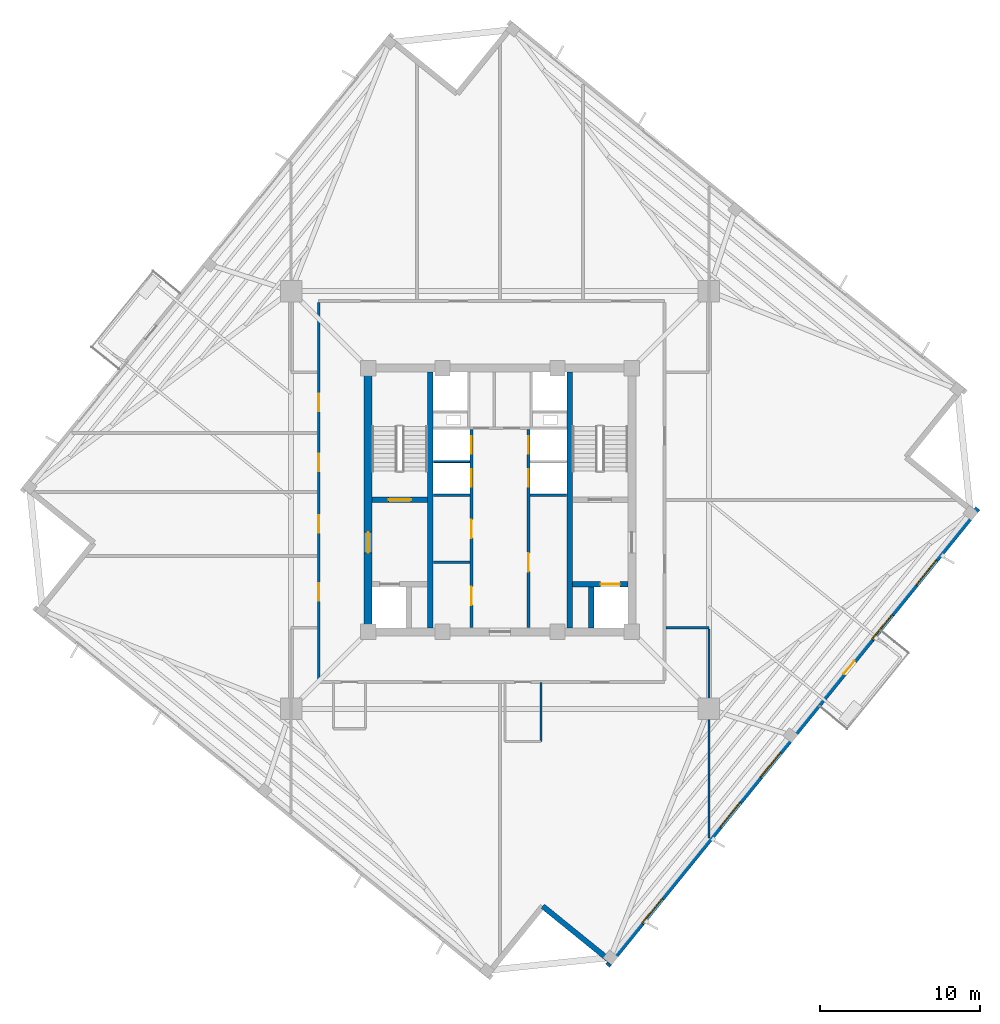
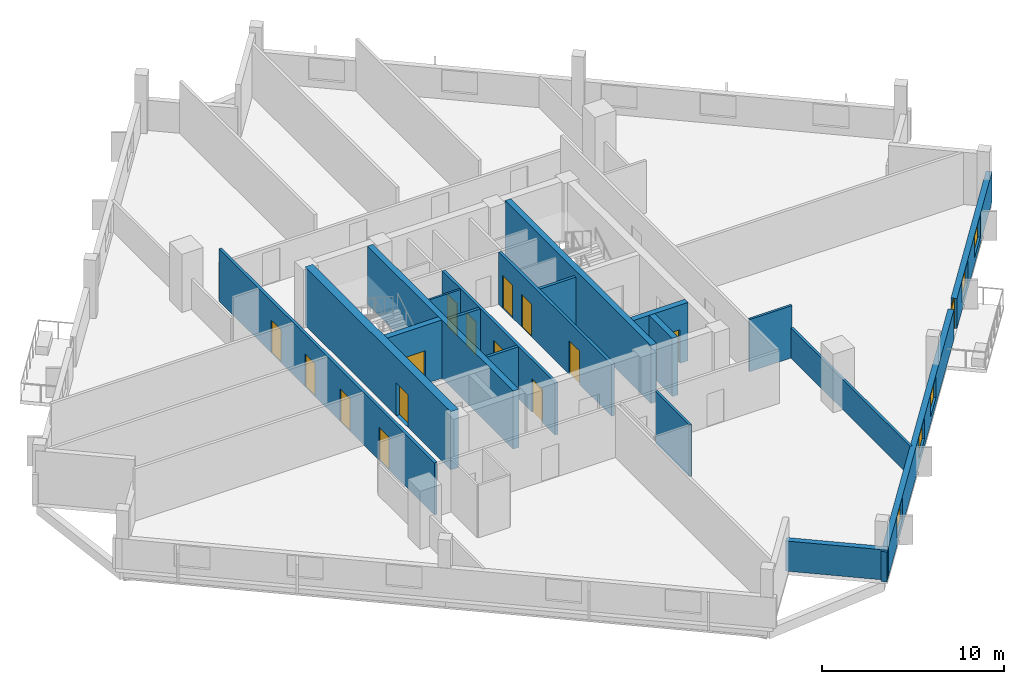
# One storey, part 3 of 9: 18 walls, 15 doors, 5 windows, 20 openings.
"""IFC4 building model written with IfcOpenShell, lengths in metres."""

import ifcopenshell
import ifcopenshell.guid

model = None  # the IFC model being written
_history = None  # IfcOwnerHistory: only IFC2X3 demands one
_inside = {}  # id of a spatial element -> (the spatial element, [elements in it])
_under = {}  # id of a project, library or spatial element -> (it, [spatial elements below it])
_declared = {}  # id of a project -> (the project, [libraries it declares])
_typed = {}  # id of a type object -> (the type object, [elements of that type])
_made_of = {}  # id of a material, layer set ... -> (it, [elements and type objects made of it])


def new_model(schema):
    """Start an empty IFC model of exactly this schema.

    Asked for "IFC4X3", IfcOpenShell would pick the latest addendum, in which some entities
    have other attributes; the version numbers below select the first issue.
    IFC2X3 requires an IfcOwnerHistory on every rooted entity: one is made here for all.
    """
    global model, _history
    if schema == "IFC4X3":
        model = ifcopenshell.file(schema_version=(4, 3, 0, 0))
    else:
        model = ifcopenshell.file(schema=schema)
    _inside.clear()
    _under.clear()
    _declared.clear()
    _typed.clear()
    _made_of.clear()
    _history = None
    if model.schema == "IFC2X3":
        org = make("IfcOrganization", Name="unknown")
        user = make(
            "IfcPersonAndOrganization",
            ThePerson=make("IfcPerson", FamilyName="unknown"),
            TheOrganization=org,
        )
        app = make(
            "IfcApplication",
            ApplicationDeveloper=org,
            Version="unknown",
            ApplicationFullName="unknown",
            ApplicationIdentifier="unknown",
        )
        _history = make(
            "IfcOwnerHistory",
            OwningUser=user,
            OwningApplication=app,
            ChangeAction="ADDED",
            CreationDate=0,
        )
    return model


def make(cls, **values):
    """One entity of the class cls with the attributes given. An attribute that is None is left unset."""
    return model.create_entity(
        cls, **{name: value for name, value in values.items() if value is not None}
    )


def rooted(cls, **values):
    """An entity with a GlobalId (a new one), such as an element, a storey or a relation."""
    return make(cls, GlobalId=ifcopenshell.guid.new(), OwnerHistory=_history, **values)


def si_unit(unit_type, name, prefix=None):
    """IfcSIUnit, for example si_unit("LENGTHUNIT", "METRE", prefix="MILLI")."""
    return make("IfcSIUnit", UnitType=unit_type, Prefix=prefix, Name=name)


def assignment(units):
    """IfcUnitAssignment: the units of a project."""
    return None if units is None else make("IfcUnitAssignment", Units=units)


def point(xyz):
    """IfcCartesianPoint."""
    return None if xyz is None else make("IfcCartesianPoint", Coordinates=xyz)


def direction(xyz):
    """IfcDirection."""
    return None if xyz is None else make("IfcDirection", DirectionRatios=xyz)


def frame(location, z_axis=None, x_axis=None):
    """IfcAxis2Placement3D, a coordinate frame: its origin and axes. An axis left out is left unset."""
    return make(
        "IfcAxis2Placement3D",
        Location=point(location),
        Axis=direction(z_axis),
        RefDirection=direction(x_axis),
    )


def frame_2d(location, x_axis=None):
    """IfcAxis2Placement2D, a coordinate frame in the plane: its origin and x axis."""
    return make(
        "IfcAxis2Placement2D", Location=point(location), RefDirection=direction(x_axis)
    )


def origin():
    """The frame at (0, 0, 0) with its axes left unset."""
    return frame((0.0, 0.0, 0.0))


def place(relative_to, where):
    """IfcLocalPlacement: puts the frame where relative to a parent placement (None: the world)."""
    return make(
        "IfcLocalPlacement", PlacementRelTo=relative_to, RelativePlacement=where
    )


def context(
    kind, dimensions, precision=None, world=None, true_north=None, identifier=None
):
    """IfcGeometricRepresentationContext, for example the 3D "Model" context."""
    return make(
        "IfcGeometricRepresentationContext",
        ContextIdentifier=identifier,
        ContextType=kind,
        CoordinateSpaceDimension=dimensions,
        Precision=precision,
        WorldCoordinateSystem=world,
        TrueNorth=true_north,
    )


def subcontext(parent, identifier, kind, view, scale=None):
    """IfcGeometricRepresentationSubContext, for example "Body" below "Model"."""
    return make(
        "IfcGeometricRepresentationSubContext",
        ContextIdentifier=identifier,
        ContextType=kind,
        ParentContext=parent,
        TargetScale=scale,
        TargetView=view,
    )


def project(units=None, contexts=None):
    """IfcProject with its units and contexts."""
    return rooted(
        "IfcProject",
        Name="project",
        RepresentationContexts=contexts,
        UnitsInContext=assignment(units),
    )


def spatial(cls, under=None, at=None, **own):
    """A site, building, storey or space (cls), placed at a placement, below another one or the project."""
    s = rooted(cls, ObjectPlacement=at, **own)
    if under is not None:
        _under.setdefault(under.id(), (under, []))[1].append(s)
    return s


def profile(cls, at=None, kind="AREA", **sizes):
    """A parametric profile (cls). Its sizes go by their IFC names, for example OverallWidth=200.0."""
    return make(cls, ProfileType=kind, Position=at, **sizes)


def rectangle(**sizes):
    """IfcRectangleProfileDef."""
    return profile("IfcRectangleProfileDef", **sizes)


def extrude(swept, where, along, depth):
    """IfcExtrudedAreaSolid: the profile swept, set in the frame where, extruded along a direction by depth."""
    return make(
        "IfcExtrudedAreaSolid",
        SweptArea=swept,
        Position=where,
        ExtrudedDirection=direction(along),
        Depth=depth,
    )


def shape(context_of_items, identifier, shape_type, items):
    """IfcShapeRepresentation: the items that make up one representation, for example the "Body"."""
    return make(
        "IfcShapeRepresentation",
        ContextOfItems=context_of_items,
        RepresentationIdentifier=identifier,
        RepresentationType=shape_type,
        Items=items,
    )


def source(mapping_origin, context_of_items, identifier, shape_type, items):
    """IfcRepresentationMap: a shape defined once, which mapped items show again and again."""
    return make(
        "IfcRepresentationMap",
        MappingOrigin=mapping_origin,
        MappedRepresentation=shape(context_of_items, identifier, shape_type, items),
    )


def transform(
    local_origin,
    x_axis=None,
    y_axis=None,
    z_axis=None,
    scale=None,
    scale2=None,
    scale3=None,
    uniform=True,
):
    """IfcCartesianTransformationOperator3D, or its non-uniform kind. x_axis, y_axis, z_axis: its Axis1, 2, 3."""
    if uniform:
        return make(
            "IfcCartesianTransformationOperator3D",
            Axis1=direction(x_axis),
            Axis2=direction(y_axis),
            LocalOrigin=point(local_origin),
            Scale=scale,
            Axis3=direction(z_axis),
        )
    return make(
        "IfcCartesianTransformationOperator3DnonUniform",
        Axis1=direction(x_axis),
        Axis2=direction(y_axis),
        LocalOrigin=point(local_origin),
        Scale=scale,
        Axis3=direction(z_axis),
        Scale2=scale2,
        Scale3=scale3,
    )


def mapped(mapping_source, mapping_target):
    """IfcMappedItem: shows the shape of a source again, moved by a transform."""
    return make(
        "IfcMappedItem", MappingSource=mapping_source, MappingTarget=mapping_target
    )


def material(Name=None, Category=None):
    """IfcMaterial."""
    return make("IfcMaterial", Name=Name, Category=Category)


def layer(
    of_material, thickness, ventilated=None, Name=None, Category=None, Priority=None
):
    """IfcMaterialLayer: one layer of a wall or slab, of a material (None: an air gap)."""
    return make(
        "IfcMaterialLayer",
        Material=of_material,
        LayerThickness=thickness,
        IsVentilated=ventilated,
        Name=Name,
        Category=Category,
        Priority=Priority,
    )


def layer_set(layers, Name=None):
    """IfcMaterialLayerSet."""
    return make("IfcMaterialLayerSet", MaterialLayers=layers, LayerSetName=Name)


def made_of(thing, what):
    """Note that an element or type object is made of a material, layer set ...; save() writes the relation."""
    if what is not None:
        _made_of.setdefault(what.id(), (what, []))[1].append(thing)
    return thing


def type_object(cls, material=None, **own):
    """A type object (cls), such as IfcWallType, which elements share."""
    return made_of(rooted(cls, **own), material)


def element(
    cls,
    number,
    at=None,
    inside=None,
    cuts=None,
    type_object=None,
    material=None,
    context=None,
    identifier="Body",
    shape_type=None,
    held_by="IfcProductDefinitionShape",
    body=None,
    shapes=None,
    **own,
):
    """One element of the class cls, such as IfcWall. Its Tag is "e" and its number.

    at: its placement. inside: the storey or other place that contains it. cuts: it is an
    opening in that element (IfcRelVoidsElement). A single representation is given by context,
    identifier, shape_type and body (its items); several are given by shapes. held_by: the class
    of the entity that holds the representations. save() writes the other relations.
    """
    e = rooted(cls, Tag="e%d" % number, ObjectPlacement=at, **own)
    if body is not None:
        shapes = [shape(context, identifier, shape_type, body)]
    if shapes is not None:
        e.Representation = make(held_by, Representations=shapes)
    if inside is not None:
        _inside.setdefault(inside.id(), (inside, []))[1].append(e)
    if cuts is not None:
        rooted(
            "IfcRelVoidsElement", RelatingBuildingElement=cuts, RelatedOpeningElement=e
        )
    if type_object is not None:
        _typed.setdefault(type_object.id(), (type_object, []))[1].append(e)
    return made_of(e, material)


def fill(opening, filler):
    """IfcRelFillsElement: the door or window that sits in an opening."""
    return rooted(
        "IfcRelFillsElement",
        RelatingOpeningElement=opening,
        RelatedBuildingElement=filler,
    )


def aggregate(whole, parts):
    """IfcRelAggregates: a whole, such as a stair, and the parts it consists of."""
    return rooted("IfcRelAggregates", RelatingObject=whole, RelatedObjects=parts)


def save(model, path):
    """Write the relations noted so far, then the file.

    IfcRelAggregates (storeys below a building ...), IfcRelContainedInSpatialStructure (elements
    in a storey), IfcRelDefinesByType, IfcRelAssociatesMaterial and IfcRelDeclares: one each for
    every whole, place, type object, material and project.
    """
    for whole, parts in _under.values():
        aggregate(whole, parts)
    for where, things in _inside.values():
        rooted(
            "IfcRelContainedInSpatialStructure",
            RelatedElements=things,
            RelatingStructure=where,
        )
    for kind, things in _typed.values():
        rooted("IfcRelDefinesByType", RelatedObjects=things, RelatingType=kind)
    for what, things in _made_of.values():
        rooted("IfcRelAssociatesMaterial", RelatedObjects=things, RelatingMaterial=what)
    for by, libraries in _declared.values():
        rooted("IfcRelDeclares", RelatingContext=by, RelatedDefinitions=libraries)
    model.write(path)


model = new_model("IFC4")

# Units and contexts
model_context = context("Model", 3, precision=1e-05, world=origin(), true_north=direction((0.0, 1.0)))
body_context = subcontext(model_context, "Body", "Model", "MODEL_VIEW")
ifc_project = project(units=[si_unit("LENGTHUNIT", "METRE"), si_unit("AREAUNIT", "SQUARE_METRE"), si_unit("VOLUMEUNIT", "CUBIC_METRE"), si_unit("PLANEANGLEUNIT", "RADIAN"), si_unit("MASSUNIT", "GRAM", prefix="KILO"), si_unit("THERMODYNAMICTEMPERATUREUNIT", "KELVIN")], contexts=[model_context])

# Site, building, storey
site_placement = place(None, origin())
site = spatial("IfcSite", under=ifc_project, at=site_placement, CompositionType="ELEMENT")
building_placement = place(site_placement, origin())
building = spatial("IfcBuilding", under=site, at=building_placement, Name="Kosmvard Interchange Tower", CompositionType="ELEMENT")
storey_placement = place(building_placement, frame((0.0, 0.0, 256.300048828125)))
storey = spatial("IfcBuildingStorey", under=building, at=storey_placement, Name="L62", CompositionType="ELEMENT", Elevation=256.300048828125)

# Walls
ifc_material_1 = material(Name="Acoustic gypsum partition system")
ifc_layer_1 = layer(ifc_material_1, 0.14990234375, Name="Acoustic gypsum partition system")
ifc_layer_set_1 = layer_set([ifc_layer_1], Name="Acoustic gypsum partition system")
wall_type_1 = type_object("IfcWallType", Name="Acoustic Suite & Meeting Partition 150", PredefinedType="PARTITIONING", material=ifc_layer_set_1)
wall_1_placement = place(storey_placement, frame((10.39501953125, -8.0, 0.0), z_axis=(0.0, 0.0, 1.0), x_axis=(1.0, 0.0, 0.0)))
element("IfcWall", 1, at=wall_1_placement, inside=storey, type_object=wall_type_1, Name="L62 Room Partition 11.1", PredefinedType="PARTITIONING", context=body_context, shape_type="SweptSolid", body=[
    extrude(rectangle(XDim=2.68603515625, YDim=0.14990234375, at=frame_2d((1.343017578125, 0.0))), origin(), (0.0, 0.0, 1.0), 3.5),
])
wall_2_placement = place(storey_placement, frame((13.0810546875, -8.074951171875, 0.0), z_axis=(0.0, 0.0, 1.0), x_axis=(0.0, -1.0, 0.0)))
element("IfcWall", 2, at=wall_2_placement, inside=storey, type_object=wall_type_1, Name="L62 Room Partition 12.1", PredefinedType="PARTITIONING", context=body_context, shape_type="SweptSolid", body=[
    extrude(rectangle(XDim=13.073486328125, YDim=0.14990234375, at=frame_2d((6.53662109375, 0.0))), origin(), (0.0, 0.0, 1.0), 2.02001953125),
])

# Wall, openings, doors
ifc_material_2 = material(Name="Fire-rated gypsum partition system")
ifc_layer_2 = layer(ifc_material_2, 0.179931640625, Name="Fire-rated gypsum partition system")
ifc_layer_set_2 = layer_set([ifc_layer_2], Name="Fire-rated gypsum partition system")
wall_type_2 = type_object("IfcWallType", Name="Corridor & Hotel Compartment Partition 180", PredefinedType="PARTITIONING", material=ifc_layer_set_2)
wall_3_placement = place(storey_placement, frame((-1.7900390625, -7.97998046875, 0.0), z_axis=(0.0, 0.0, 1.0), x_axis=(0.0, 1.0, 0.0)))
wall_3 = element("IfcWall", 3, at=wall_3_placement, inside=storey, type_object=wall_type_2, Name="L62 West Lift Bank Front Wall", PredefinedType="PARTITIONING", context=body_context, shape_type="SweptSolid", body=[
    extrude(rectangle(XDim=12.3798828125, YDim=0.179931640625, at=frame_2d((6.18994140625, 0.0))), origin(), (0.0, 0.0, 1.0), 3.5),
])
opening_1_placement = place(wall_3_placement, frame((8.800048828125, 0.0, 0.0)))
opening_1 = element("IfcOpeningElement", 4, at=opening_1_placement, cuts=wall_3, Name="Opening LD-PL-H1-L62", PredefinedType="OPENING", context=body_context, shape_type="SweptSolid", body=[
    extrude(rectangle(XDim=1.10009765625, YDim=2.199951171875, at=frame_2d((0.550048828125, 1.10009765625))), frame((0.0, 0.10009765625, 0.0), z_axis=(0.0, -1.0, 0.0), x_axis=(1.0, 0.0, 0.0)), (0.0, 0.0, 1.0), 0.199951171875),
])
opening_2_placement = place(wall_3_placement, frame((10.860107421875, 0.0, 0.0)))
opening_2 = element("IfcOpeningElement", 5, at=opening_2_placement, cuts=wall_3, Name="Opening LD-PL-H2-L62", PredefinedType="OPENING", context=body_context, shape_type="SweptSolid", body=[
    extrude(rectangle(XDim=1.10009765625, YDim=2.199951171875, at=frame_2d((0.550048828125, 1.10009765625))), frame((0.0, 0.10009765625, 0.0), z_axis=(0.0, -1.0, 0.0), x_axis=(1.0, 0.0, 0.0)), (0.0, 0.0, 1.0), 0.199951171875),
])
opening_3_placement = place(wall_3_placement, frame((1.39990234375, 0.0, 0.0)))
opening_3 = element("IfcOpeningElement", 6, at=opening_3_placement, cuts=wall_3, Name="Opening L62-CD1", PredefinedType="OPENING", context=body_context, shape_type="SweptSolid", body=[
    extrude(rectangle(XDim=1.14990234375, YDim=2.25, at=frame_2d((0.574951171875, 1.125))), frame((0.0, 0.10009765625, 0.0), z_axis=(0.0, -1.0, 0.0), x_axis=(1.0, 0.0, 0.0)), (0.0, 0.0, 1.0), 0.199951171875),
])
opening_4_placement = place(wall_3_placement, frame((5.60009765625, 0.0, 0.0)))
opening_4 = element("IfcOpeningElement", 7, at=opening_4_placement, cuts=wall_3, Name="Opening L62-CD2", PredefinedType="OPENING", context=body_context, shape_type="SweptSolid", body=[
    extrude(rectangle(XDim=1.14990234375, YDim=2.25, at=frame_2d((0.574951171875, 1.125))), frame((0.0, 0.10009765625, 0.0), z_axis=(0.0, -1.0, 0.0), x_axis=(1.0, 0.0, 0.0)), (0.0, 0.0, 1.0), 0.199951171875),
])
ifc_material_3 = material(Name="Painted fire-rated steel leaf", Category="steel")
door_type_1 = type_object("IfcDoorType", Name="Plant & Riser Fire Door 1150x2250 EI60", OperationType="NOTDEFINED", PredefinedType="DOOR", material=ifc_material_3)
shared_shape_1 = source(origin(), body_context, "Body", "SweptSolid", [
    extrude(rectangle(XDim=1.14990234375, YDim=2.25, at=frame_2d((0.574951171875, 1.125))), frame((0.0, 0.02490234375, 0.0), z_axis=(0.0, -1.0, 0.0), x_axis=(1.0, 0.0, 0.0)), (0.0, 0.0, 1.0), 0.050048828125),
])
door_1_placement = place(opening_3_placement, origin())
door_1 = element("IfcDoor", 8, at=door_1_placement, inside=storey, type_object=door_type_1, Name="L62 Core Archive Door", OperationType="SINGLE_SWING_LEFT", OverallHeight=2.25, OverallWidth=1.14990234375, PredefinedType="DOOR", context=body_context, shape_type="MappedRepresentation", body=[
    mapped(shared_shape_1, transform((0.0, 0.0, 0.0), scale=1.0)),
])
fill(opening_3, door_1)
door_2_placement = place(opening_4_placement, origin())
door_2 = element("IfcDoor", 9, at=door_2_placement, inside=storey, type_object=door_type_1, Name="L62 Mid Core Housekeeping Door", OperationType="SINGLE_SWING_RIGHT", OverallHeight=2.25, OverallWidth=1.14990234375, PredefinedType="DOOR", context=body_context, shape_type="MappedRepresentation", body=[
    mapped(shared_shape_1, transform((0.0, 0.0, 0.0), scale=1.0)),
])
fill(opening_4, door_2)
ifc_material_4 = material(Name="Brushed stainless steel sliding leaf", Category="steel")
door_type_2 = type_object("IfcDoorType", Name="Passenger Lift Sliding Landing Door 1100x2200 EI60", OperationType="DOUBLE_DOOR_SLIDING", PredefinedType="DOOR", material=ifc_material_4)
shared_shape_2 = source(origin(), body_context, "Body", "SweptSolid", [
    extrude(rectangle(XDim=1.10009765625, YDim=2.199951171875, at=frame_2d((0.550048828125, 1.10009765625))), frame((0.0, 0.02490234375, 0.0), z_axis=(0.0, -1.0, 0.0), x_axis=(1.0, 0.0, 0.0)), (0.0, 0.0, 1.0), 0.050048828125),
])
door_3_placement = place(opening_1_placement, frame((1.10009765625, 0.0, 0.0), z_axis=(0.0, 0.0, 1.0), x_axis=(-1.0, 0.0, 0.0)))
door_3 = element("IfcDoor", 10, at=door_3_placement, inside=storey, type_object=door_type_2, Name="Lift PL-H1 Landing Door L62", OperationType="DOUBLE_DOOR_SLIDING", OverallHeight=2.199951171875, OverallWidth=1.10009765625, PredefinedType="DOOR", context=body_context, shape_type="MappedRepresentation", body=[
    mapped(shared_shape_2, transform((0.0, 0.0, 0.0), scale=1.0)),
])
fill(opening_1, door_3)
door_4_placement = place(opening_2_placement, frame((1.10009765625, 0.0, 0.0), z_axis=(0.0, 0.0, 1.0), x_axis=(-1.0, 0.0, 0.0)))
door_4 = element("IfcDoor", 11, at=door_4_placement, inside=storey, type_object=door_type_2, Name="Lift PL-H2 Landing Door L62", OperationType="DOUBLE_DOOR_SLIDING", OverallHeight=2.199951171875, OverallWidth=1.10009765625, PredefinedType="DOOR", context=body_context, shape_type="MappedRepresentation", body=[
    mapped(shared_shape_2, transform((0.0, 0.0, 0.0), scale=1.0)),
])
fill(opening_2, door_4)

wall_4_placement = place(storey_placement, frame((1.7900390625, -7.97998046875, 0.0), z_axis=(0.0, 0.0, 1.0), x_axis=(0.0, 1.0, 0.0)))
wall_4 = element("IfcWall", 12, at=wall_4_placement, inside=storey, type_object=wall_type_2, Name="L62 East Lift Bank Front Wall", PredefinedType="PARTITIONING", context=body_context, shape_type="SweptSolid", body=[
    extrude(rectangle(XDim=12.3798828125, YDim=0.179931640625, at=frame_2d((6.18994140625, 0.0))), origin(), (0.0, 0.0, 1.0), 3.5),
])
opening_5_placement = place(wall_4_placement, frame((8.800048828125, 0.0, 0.0)))
opening_5 = element("IfcOpeningElement", 13, at=opening_5_placement, cuts=wall_4, Name="Opening LD-PL-H3-L62", PredefinedType="OPENING", context=body_context, shape_type="SweptSolid", body=[
    extrude(rectangle(XDim=1.10009765625, YDim=2.199951171875, at=frame_2d((0.550048828125, 1.10009765625))), frame((0.0, 0.10009765625, 0.0), z_axis=(0.0, -1.0, 0.0), x_axis=(1.0, 0.0, 0.0)), (0.0, 0.0, 1.0), 0.199951171875),
])
opening_6_placement = place(wall_4_placement, frame((10.860107421875, 0.0, 0.0)))
opening_6 = element("IfcOpeningElement", 14, at=opening_6_placement, cuts=wall_4, Name="Opening LD-PL-H4-L62", PredefinedType="OPENING", context=body_context, shape_type="SweptSolid", body=[
    extrude(rectangle(XDim=1.10009765625, YDim=2.199951171875, at=frame_2d((0.550048828125, 1.10009765625))), frame((0.0, 0.10009765625, 0.0), z_axis=(0.0, -1.0, 0.0), x_axis=(1.0, 0.0, 0.0)), (0.0, 0.0, 1.0), 0.199951171875),
])
opening_7_placement = place(wall_4_placement, frame((3.5, 0.0, 0.0)))
opening_7 = element("IfcOpeningElement", 15, at=opening_7_placement, cuts=wall_4, Name="Opening L62-CD3", PredefinedType="OPENING", context=body_context, shape_type="SweptSolid", body=[
    extrude(rectangle(XDim=1.14990234375, YDim=2.25, at=frame_2d((0.574951171875, 1.125))), frame((0.0, 0.10009765625, 0.0), z_axis=(0.0, -1.0, 0.0), x_axis=(1.0, 0.0, 0.0)), (0.0, 0.0, 1.0), 0.199951171875),
])
door_5_placement = place(opening_7_placement, frame((1.14990234375, 0.0, 0.0), z_axis=(0.0, 0.0, 1.0), x_axis=(-1.0, 0.0, 0.0)))
door_5 = element("IfcDoor", 16, at=door_5_placement, inside=storey, type_object=door_type_1, Name="L62 Core Data Switch Door", OperationType="SINGLE_SWING_LEFT", OverallHeight=2.25, OverallWidth=1.14990234375, PredefinedType="DOOR", context=body_context, shape_type="MappedRepresentation", body=[
    mapped(shared_shape_1, transform((0.0, 0.0, 0.0), scale=1.0)),
])
fill(opening_7, door_5)
door_6_placement = place(opening_5_placement, origin())
door_6 = element("IfcDoor", 17, at=door_6_placement, inside=storey, type_object=door_type_2, Name="Lift PL-H3 Landing Door L62", OperationType="DOUBLE_DOOR_SLIDING", OverallHeight=2.199951171875, OverallWidth=1.10009765625, PredefinedType="DOOR", context=body_context, shape_type="MappedRepresentation", body=[
    mapped(shared_shape_2, transform((0.0, 0.0, 0.0), scale=1.0)),
])
fill(opening_5, door_6)
door_7_placement = place(opening_6_placement, origin())
door_7 = element("IfcDoor", 18, at=door_7_placement, inside=storey, type_object=door_type_2, Name="Lift PL-H4 Landing Door L62", OperationType="DOUBLE_DOOR_SLIDING", OverallHeight=2.199951171875, OverallWidth=1.10009765625, PredefinedType="DOOR", context=body_context, shape_type="MappedRepresentation", body=[
    mapped(shared_shape_2, transform((0.0, 0.0, 0.0), scale=1.0)),
])
fill(opening_6, door_7)

wall_5_placement = place(storey_placement, frame((-11.35009765625, -11.300048828125, 0.0), z_axis=(0.0, 0.0, 1.0), x_axis=(0.0, 1.0, 0.0)))
wall_5 = element("IfcWall", 19, at=wall_5_placement, inside=storey, type_object=wall_type_2, Name="L62 Corridor Wall CW", PredefinedType="PARTITIONING", context=body_context, shape_type="SweptSolid", body=[
    extrude(rectangle(XDim=23.650146484375, YDim=0.179931640625, at=frame_2d((11.8251953125, 0.0))), origin(), (0.0, 0.0, 1.0), 3.5),
])
opening_8_placement = place(wall_5_placement, frame((13.10009765625, 0.0, 0.0)))
opening_8 = element("IfcOpeningElement", 20, at=opening_8_placement, cuts=wall_5, Name="Opening L62-D03", PredefinedType="OPENING", context=body_context, shape_type="SweptSolid", body=[
    extrude(rectangle(XDim=1.10009765625, YDim=2.199951171875, at=frame_2d((0.550048828125, 1.10009765625))), frame((0.0, 0.10009765625, 0.0), z_axis=(0.0, -1.0, 0.0), x_axis=(1.0, 0.0, 0.0)), (0.0, 0.0, 1.0), 0.199951171875),
])
opening_9_placement = place(wall_5_placement, frame((16.85009765625, 0.0, 0.0)))
opening_9 = element("IfcOpeningElement", 21, at=opening_9_placement, cuts=wall_5, Name="Opening L62-D04", PredefinedType="OPENING", context=body_context, shape_type="SweptSolid", body=[
    extrude(rectangle(XDim=1.10009765625, YDim=2.199951171875, at=frame_2d((0.550048828125, 1.10009765625))), frame((0.0, 0.10009765625, 0.0), z_axis=(0.0, -1.0, 0.0), x_axis=(1.0, 0.0, 0.0)), (0.0, 0.0, 1.0), 0.199951171875),
])
opening_10_placement = place(wall_5_placement, frame((5.0, 0.0, 0.0)))
opening_10 = element("IfcOpeningElement", 22, at=opening_10_placement, cuts=wall_5, Name="Opening L62-D13", PredefinedType="OPENING", context=body_context, shape_type="SweptSolid", body=[
    extrude(rectangle(XDim=1.10009765625, YDim=2.199951171875, at=frame_2d((0.550048828125, 1.10009765625))), frame((0.0, 0.10009765625, 0.0), z_axis=(0.0, -1.0, 0.0), x_axis=(1.0, 0.0, 0.0)), (0.0, 0.0, 1.0), 0.199951171875),
])
opening_11_placement = place(wall_5_placement, frame((9.25, 0.0, 0.0)))
opening_11 = element("IfcOpeningElement", 23, at=opening_11_placement, cuts=wall_5, Name="Opening L62-D14", PredefinedType="OPENING", context=body_context, shape_type="SweptSolid", body=[
    extrude(rectangle(XDim=1.10009765625, YDim=2.199951171875, at=frame_2d((0.550048828125, 1.10009765625))), frame((0.0, 0.10009765625, 0.0), z_axis=(0.0, -1.0, 0.0), x_axis=(1.0, 0.0, 0.0)), (0.0, 0.0, 1.0), 0.199951171875),
])
ifc_material_5 = material(Name="Engineered oak fire-rated timber", Category="wood")
door_type_3 = type_object("IfcDoorType", Name="Office Suite Entrance Door 1100x2200 FD30S", OperationType="NOTDEFINED", PredefinedType="DOOR", material=ifc_material_5)
door_8_placement = place(opening_8_placement, origin())
door_8 = element("IfcDoor", 24, at=door_8_placement, inside=storey, type_object=door_type_3, Name="L62 North Briefing Room 1 Door", OperationType="SINGLE_SWING_LEFT", OverallHeight=2.199951171875, OverallWidth=1.10009765625, PredefinedType="DOOR", context=body_context, shape_type="MappedRepresentation", body=[
    mapped(shared_shape_2, transform((0.0, 0.0, 0.0), scale=1.0)),
])
fill(opening_8, door_8)
door_9_placement = place(opening_9_placement, origin())
door_9 = element("IfcDoor", 25, at=door_9_placement, inside=storey, type_object=door_type_3, Name="L62 North Briefing Room 2 Door", OperationType="SINGLE_SWING_RIGHT", OverallHeight=2.199951171875, OverallWidth=1.10009765625, PredefinedType="DOOR", context=body_context, shape_type="MappedRepresentation", body=[
    mapped(shared_shape_2, transform((0.0, 0.0, 0.0), scale=1.0)),
])
fill(opening_9, door_9)
door_10_placement = place(opening_10_placement, origin())
door_10 = element("IfcDoor", 26, at=door_10_placement, inside=storey, type_object=door_type_3, Name="L62 North-West Corner Office Door", OperationType="SINGLE_SWING_LEFT", OverallHeight=2.199951171875, OverallWidth=1.10009765625, PredefinedType="DOOR", context=body_context, shape_type="MappedRepresentation", body=[
    mapped(shared_shape_2, transform((0.0, 0.0, 0.0), scale=1.0)),
])
fill(opening_10, door_10)
door_11_placement = place(opening_11_placement, origin())
door_11 = element("IfcDoor", 27, at=door_11_placement, inside=storey, type_object=door_type_3, Name="L62 West Chamber 4 Door", OperationType="SINGLE_SWING_RIGHT", OverallHeight=2.199951171875, OverallWidth=1.10009765625, PredefinedType="DOOR", context=body_context, shape_type="MappedRepresentation", body=[
    mapped(shared_shape_2, transform((0.0, 0.0, 0.0), scale=1.0)),
])
fill(opening_11, door_11)

# Wall, openings, windows, door
ifc_material_6 = material(Name="Precast concrete C45/55", Category="concrete")
ifc_layer_3 = layer(ifc_material_6, 0.340087890625, Name="Precast concrete C45/55")
ifc_layer_set_3 = layer_set([ifc_layer_3], Name="Precast concrete C45/55")
wall_type_3 = type_object("IfcWallType", Name="Mid Tower Precast Pier Wall 340 C45/55", PredefinedType="STANDARD", material=ifc_layer_set_3)
wall_6_placement = place(storey_placement, frame((6.73291015625, -29.154296875, 0.0), z_axis=(0.0, 0.0, 1.0), x_axis=(0.629325378072, 0.77714192302, 0.0)))
wall_6 = element("IfcWall", 28, at=wall_6_placement, inside=storey, type_object=wall_type_3, Name="L62 Precast Facade Wall F-S", PredefinedType="STANDARD", context=body_context, shape_type="SweptSolid", body=[
    extrude(rectangle(XDim=36.840087890625, YDim=0.340087890625, at=frame_2d((18.419921875, 0.0))), origin(), (0.0, 0.0, 1.0), 2.02001953125),
])
opening_12_placement = place(wall_6_placement, frame((23.4951171875, 0.0, 0.0)))
opening_12 = element("IfcOpeningElement", 29, at=opening_12_placement, cuts=wall_6, Name="Opening L62-BDW", PredefinedType="OPENING", context=body_context, shape_type="SweptSolid", body=[
    extrude(rectangle(XDim=1.050048828125, YDim=2.02001953125, at=frame_2d((0.52490234375, 1.010009765625))), frame((0.0, 0.18017578125, 0.0), z_axis=(0.0, -1.0, 0.0), x_axis=(1.0, 0.0, 0.0)), (0.0, 0.0, 1.0), 0.360107421875),
])
opening_13_placement = place(wall_6_placement, frame((3.4208984375, 0.0, 0.489990234375)))
opening_13 = element("IfcOpeningElement", 30, at=opening_13_placement, cuts=wall_6, Name="Opening L62-W01", PredefinedType="OPENING", context=body_context, shape_type="SweptSolid", body=[
    extrude(rectangle(XDim=2.0, YDim=1.449951171875, at=frame_2d((1.0, 0.72509765625))), frame((0.0, 0.18017578125, 0.0), z_axis=(0.0, -1.0, 0.0), x_axis=(1.0, 0.0, 0.0)), (0.0, 0.0, 1.0), 0.360107421875),
])
opening_14_placement = place(wall_6_placement, frame((11.18359375, 0.0, 0.489990234375)))
opening_14 = element("IfcOpeningElement", 31, at=opening_14_placement, cuts=wall_6, Name="Opening L62-W02", PredefinedType="OPENING", context=body_context, shape_type="SweptSolid", body=[
    extrude(rectangle(XDim=2.0, YDim=1.449951171875, at=frame_2d((1.0, 0.72509765625))), frame((0.0, 0.18017578125, 0.0), z_axis=(0.0, -1.0, 0.0), x_axis=(1.0, 0.0, 0.0)), (0.0, 0.0, 1.0), 0.360107421875),
])
opening_15_placement = place(wall_6_placement, frame((15.18310546875, 0.0, 0.489990234375)))
opening_15 = element("IfcOpeningElement", 32, at=opening_15_placement, cuts=wall_6, Name="Opening L62-W03", PredefinedType="OPENING", context=body_context, shape_type="SweptSolid", body=[
    extrude(rectangle(XDim=2.0, YDim=1.449951171875, at=frame_2d((1.0, 0.72509765625))), frame((0.0, 0.18017578125, 0.0), z_axis=(0.0, -1.0, 0.0), x_axis=(1.0, 0.0, 0.0)), (0.0, 0.0, 1.0), 0.360107421875),
])
opening_16_placement = place(wall_6_placement, frame((26.30126953125, 0.0, 0.489990234375)))
opening_16 = element("IfcOpeningElement", 33, at=opening_16_placement, cuts=wall_6, Name="Opening L62-W04", PredefinedType="OPENING", context=body_context, shape_type="SweptSolid", body=[
    extrude(rectangle(XDim=2.0, YDim=1.449951171875, at=frame_2d((1.0, 0.72509765625))), frame((0.0, 0.18017578125, 0.0), z_axis=(0.0, -1.0, 0.0), x_axis=(1.0, 0.0, 0.0)), (0.0, 0.0, 1.0), 0.360107421875),
])
opening_17_placement = place(wall_6_placement, frame((30.682373046875, 0.0, 0.489990234375)))
opening_17 = element("IfcOpeningElement", 34, at=opening_17_placement, cuts=wall_6, Name="Opening L62-W05", PredefinedType="OPENING", context=body_context, shape_type="SweptSolid", body=[
    extrude(rectangle(XDim=2.0, YDim=1.449951171875, at=frame_2d((1.0, 0.72509765625))), frame((0.0, 0.18017578125, 0.0), z_axis=(0.0, -1.0, 0.0), x_axis=(1.0, 0.0, 0.0)), (0.0, 0.0, 1.0), 0.360107421875),
])
ifc_material_7 = material(Name="Low-E solar-control double glazing", Category="glass")
window_type = type_object("IfcWindowType", Name="Transfer Zone Punched Window 2000x1450", PartitioningType="SINGLE_PANEL", PredefinedType="WINDOW", material=ifc_material_7)
shared_shape_3 = source(origin(), body_context, "Body", "SweptSolid", [
    extrude(rectangle(XDim=2.0, YDim=1.449951171875, at=frame_2d((1.0, 0.72509765625))), frame((0.0, 0.030029296875, 0.0), z_axis=(0.0, -1.0, 0.0), x_axis=(1.0, 0.0, 0.0)), (0.0, 0.0, 1.0), 0.06005859375),
])
window_1_placement = place(opening_13_placement, origin())
window_1 = element("IfcWindow", 35, at=window_1_placement, inside=storey, type_object=window_type, Name="L62 Facade Punched Window 01", OverallHeight=1.449951171875, OverallWidth=2.0, PartitioningType="SINGLE_PANEL", PredefinedType="WINDOW", context=body_context, shape_type="MappedRepresentation", body=[
    mapped(shared_shape_3, transform((0.0, 0.0, 0.0), scale=1.0)),
])
fill(opening_13, window_1)
window_2_placement = place(opening_14_placement, origin())
window_2 = element("IfcWindow", 36, at=window_2_placement, inside=storey, type_object=window_type, Name="L62 Facade Punched Window 02", OverallHeight=1.449951171875, OverallWidth=2.0, PartitioningType="SINGLE_PANEL", PredefinedType="WINDOW", context=body_context, shape_type="MappedRepresentation", body=[
    mapped(shared_shape_3, transform((0.0, 0.0, 0.0), scale=1.0)),
])
fill(opening_14, window_2)
window_3_placement = place(opening_15_placement, origin())
window_3 = element("IfcWindow", 37, at=window_3_placement, inside=storey, type_object=window_type, Name="L62 Facade Punched Window 03", OverallHeight=1.449951171875, OverallWidth=2.0, PartitioningType="SINGLE_PANEL", PredefinedType="WINDOW", context=body_context, shape_type="MappedRepresentation", body=[
    mapped(shared_shape_3, transform((0.0, 0.0, 0.0), scale=1.0)),
])
fill(opening_15, window_3)
window_4_placement = place(opening_16_placement, origin())
window_4 = element("IfcWindow", 38, at=window_4_placement, inside=storey, type_object=window_type, Name="L62 Facade Punched Window 04", OverallHeight=1.449951171875, OverallWidth=2.0, PartitioningType="SINGLE_PANEL", PredefinedType="WINDOW", context=body_context, shape_type="MappedRepresentation", body=[
    mapped(shared_shape_3, transform((0.0, 0.0, 0.0), scale=1.0)),
])
fill(opening_16, window_4)
window_5_placement = place(opening_17_placement, origin())
window_5 = element("IfcWindow", 39, at=window_5_placement, inside=storey, type_object=window_type, Name="L62 Facade Punched Window 05", OverallHeight=1.449951171875, OverallWidth=2.0, PartitioningType="SINGLE_PANEL", PredefinedType="WINDOW", context=body_context, shape_type="MappedRepresentation", body=[
    mapped(shared_shape_3, transform((0.0, 0.0, 0.0), scale=1.0)),
])
fill(opening_17, window_5)
ifc_material_8 = material(Name="Anodised aluminium and safety glass", Category="aluminium")
door_type_4 = type_object("IfcDoorType", Name="Tree-Balcony Glazed Door 1050x2250", OperationType="NOTDEFINED", PredefinedType="DOOR", material=ifc_material_8)
shared_shape_4 = source(origin(), body_context, "Body", "SweptSolid", [
    extrude(rectangle(XDim=1.050048828125, YDim=2.02001953125, at=frame_2d((0.52490234375, 1.010009765625))), frame((0.0, 0.02490234375, 0.0), z_axis=(0.0, -1.0, 0.0), x_axis=(1.0, 0.0, 0.0)), (0.0, 0.0, 1.0), 0.050048828125),
])
door_12_placement = place(opening_12_placement, origin())
door_12 = element("IfcDoor", 40, at=door_12_placement, inside=storey, type_object=door_type_4, Name="L62 Tree-Balcony Door BAL-L62-SW", OperationType="SINGLE_SWING_LEFT", OverallHeight=2.02001953125, OverallWidth=1.050048828125, PredefinedType="DOOR", context=body_context, shape_type="MappedRepresentation", body=[
    mapped(shared_shape_4, transform((0.0, 0.0, 0.0), scale=1.0)),
])
fill(opening_12, door_12)

# Walls
wall_7_placement = place(storey_placement, frame((2.672607421875, -25.428955078125, 0.0), z_axis=(0.0, 0.0, 1.0), x_axis=(0.777162640055, -0.629299794138, 0.0)))
element("IfcWall", 41, at=wall_7_placement, inside=storey, type_object=wall_type_3, Name="L62 Precast Facade Wall N-SW2", PredefinedType="STANDARD", context=body_context, shape_type="SweptSolid", body=[
    extrude(rectangle(XDim=5.669921875, YDim=0.340087890625, at=frame_2d((2.8349609375, 0.0))), origin(), (0.0, 0.0, 1.0), 2.02001953125),
])
ifc_material_9 = material(Name="Concrete blockwork masonry", Category="masonry")
ifc_layer_4 = layer(ifc_material_9, 0.179931640625, Name="Concrete blockwork masonry")
ifc_layer_set_4 = layer_set([ifc_layer_4], Name="Concrete blockwork masonry")
wall_type_4 = type_object("IfcWallType", Name="Riser & Lift Bank Divider Wall 180", PredefinedType="PARTITIONING", material=ifc_layer_set_4)
for number, where, z_axis, x_axis, name in (
    (42, (-4.169921875, -3.89990234375, 0.0), (0.0, 0.0, 1.0), (1.0, 0.0, 0.0), "L62 West Bank Divider BD1"),
    (43, (-4.169921875, 0.300048828125, 0.0), (0.0, 0.0, 1.0), (1.0, 0.0, 0.0), "L62 West Bank Divider BD2"),
    (44, (1.889892578125, 0.300048828125, 0.0), (0.0, 0.0, 1.0), (1.0, 0.0, 0.0), "L62 East Bank Divider BD2"),
):
    element("IfcWall", number, at=place(storey_placement, frame(where, z_axis=z_axis, x_axis=x_axis)), inside=storey, type_object=wall_type_4, Name=name, PredefinedType="PARTITIONING", context=body_context, shape_type="SweptSolid", body=[
        extrude(rectangle(XDim=2.280029296875, YDim=0.179931640625, at=frame_2d((1.14013671875, 0.0))), origin(), (0.0, 0.0, 1.0), 3.5),
    ])
ifc_material_10 = material(Name="Fire-rated gypsum shaftwall system")
ifc_layer_5 = layer(ifc_material_10, 0.1201171875, Name="Fire-rated gypsum shaftwall system")
ifc_layer_set_5 = layer_set([ifc_layer_5], Name="Fire-rated gypsum shaftwall system")
wall_type_5 = type_object("IfcWallType", Name="Shaft & Riser Fire Partition 120 EI60", PredefinedType="PARTITIONING", material=ifc_layer_set_5)
wall_8_placement = place(storey_placement, frame((-4.159912109375, 2.39990234375, 0.0), z_axis=(0.0, 0.0, 1.0), x_axis=(1.0, 0.0, 0.0)))
element("IfcWall", 45, at=wall_8_placement, inside=storey, type_object=wall_type_5, Name="L62 Shaft Divider PL-H1", PredefinedType="PARTITIONING", context=body_context, shape_type="SweptSolid", body=[
    extrude(rectangle(XDim=2.260009765625, YDim=0.1201171875, at=frame_2d((1.1298828125, 0.0))), origin(), (0.0, 0.0, 1.0), 3.5),
])
ifc_material_11 = material(Name="Concrete C60/75", Category="concrete")
ifc_layer_6 = layer(ifc_material_11, 0.360107421875, Name="Concrete C60/75")
ifc_layer_set_6 = layer_set([ifc_layer_6], Name="Concrete C60/75")
wall_type_6 = type_object("IfcWallType", Name="Stair & Lift Shaft Shear Wall 360 C60/75", PredefinedType="SHEAR", material=ifc_layer_set_6)
for number, where, z_axis, x_axis, name in (
    (46, (-4.360107421875, -8.0, 0.0), (0.0, 0.0, 1.0), (0.0, 1.0, 0.0), "L62 Shaft Shear Wall SW-W"),
    (47, (4.360107421875, -8.0, 0.0), (0.0, 0.0, 1.0), (0.0, 1.0, 0.0), "L62 Shaft Shear Wall SW-E"),
):
    element("IfcWall", number, at=place(storey_placement, frame(where, z_axis=z_axis, x_axis=x_axis)), inside=storey, type_object=wall_type_6, Name=name, PredefinedType="SHEAR", context=body_context, shape_type="SweptSolid", body=[
        extrude(rectangle(XDim=16.0, YDim=0.360107421875, at=frame_2d((8.0, 0.0))), origin(), (0.0, 0.0, 1.0), 3.89990234375),
    ])

# Wall, opening, door
wall_9_placement = place(storey_placement, frame((-8.0, 0.02001953125, 0.0), z_axis=(0.0, 0.0, 1.0), x_axis=(1.0, 0.0, 0.0)))
wall_9 = element("IfcWall", 48, at=wall_9_placement, inside=storey, type_object=wall_type_6, Name="L62 Shaft Shear Wall SW-ST1", PredefinedType="SHEAR", context=body_context, shape_type="SweptSolid", body=[
    extrude(rectangle(XDim=3.4599609375, YDim=0.360107421875, at=frame_2d((1.72998046875, 0.0))), origin(), (0.0, 0.0, 1.0), 3.89990234375),
])
opening_18_placement = place(wall_9_placement, frame((1.030029296875, 0.0, 0.0)))
opening_18 = element("IfcOpeningElement", 49, at=opening_18_placement, cuts=wall_9, Name="Opening L62-SD1", PredefinedType="OPENING", context=body_context, shape_type="SweptSolid", body=[
    extrude(rectangle(XDim=1.39990234375, YDim=2.199951171875, at=frame_2d((0.699951171875, 1.10009765625))), frame((0.0, 0.18994140625, 0.0), z_axis=(0.0, -1.0, 0.0), x_axis=(1.0, 0.0, 0.0)), (0.0, 0.0, 1.0), 0.380126953125),
])
door_type_5 = type_object("IfcDoorType", Name="Protected Stair Door 1400x2200 FD60S", OperationType="NOTDEFINED", PredefinedType="DOOR", material=ifc_material_3)
shared_shape_5 = source(origin(), body_context, "Body", "SweptSolid", [
    extrude(rectangle(XDim=1.39990234375, YDim=2.199951171875, at=frame_2d((0.699951171875, 1.10009765625))), frame((0.0, 0.02490234375, 0.0), z_axis=(0.0, -1.0, 0.0), x_axis=(1.0, 0.0, 0.0)), (0.0, 0.0, 1.0), 0.050048828125),
])
door_13_placement = place(opening_18_placement, origin())
door_13 = element("IfcDoor", 50, at=door_13_placement, inside=storey, type_object=door_type_5, Name="L62 Stair ST-1 Enclosure Door", OperationType="SINGLE_SWING_LEFT", OverallHeight=2.199951171875, OverallWidth=1.39990234375, PredefinedType="DOOR", context=body_context, shape_type="MappedRepresentation", body=[
    mapped(shared_shape_5, transform((0.0, 0.0, 0.0), scale=1.0)),
])
fill(opening_18, door_13)

wall_10_placement = place(storey_placement, frame((4.5400390625, -5.280029296875, 0.0), z_axis=(0.0, 0.0, 1.0), x_axis=(1.0, 0.0, 0.0)))
wall_10 = element("IfcWall", 51, at=wall_10_placement, inside=storey, type_object=wall_type_6, Name="L62 Shaft Shear Wall SW-FF2", PredefinedType="SHEAR", context=body_context, shape_type="SweptSolid", body=[
    extrude(rectangle(XDim=3.4599609375, YDim=0.360107421875, at=frame_2d((1.72998046875, 0.0))), origin(), (0.0, 0.0, 1.0), 3.89990234375),
])
opening_19_placement = place(wall_10_placement, frame((1.760009765625, 0.0, 0.0)))
opening_19 = element("IfcOpeningElement", 52, at=opening_19_placement, cuts=wall_10, Name="Opening LD-FF-2-L62", PredefinedType="OPENING", context=body_context, shape_type="SweptSolid", body=[
    extrude(rectangle(XDim=1.199951171875, YDim=2.25, at=frame_2d((0.60009765625, 1.125))), frame((0.0, 0.18994140625, 0.0), z_axis=(0.0, -1.0, 0.0), x_axis=(1.0, 0.0, 0.0)), (0.0, 0.0, 1.0), 0.380126953125),
])
door_type_6 = type_object("IfcDoorType", Name="Firefighting Lift Sliding Landing Door 1200x2250 EI120", OperationType="DOUBLE_DOOR_SLIDING", PredefinedType="DOOR", material=ifc_material_4)
shared_shape_6 = source(origin(), body_context, "Body", "SweptSolid", [
    extrude(rectangle(XDim=1.199951171875, YDim=2.25, at=frame_2d((0.60009765625, 1.125))), frame((0.0, 0.02490234375, 0.0), z_axis=(0.0, -1.0, 0.0), x_axis=(1.0, 0.0, 0.0)), (0.0, 0.0, 1.0), 0.050048828125),
])
door_14_placement = place(opening_19_placement, origin())
door_14 = element("IfcDoor", 53, at=door_14_placement, inside=storey, type_object=door_type_6, Name="Lift FF-2 Landing Door L62", OperationType="DOUBLE_DOOR_SLIDING", OverallHeight=2.25, OverallWidth=1.199951171875, PredefinedType="DOOR", context=body_context, shape_type="MappedRepresentation", body=[
    mapped(shared_shape_6, transform((0.0, 0.0, 0.0), scale=1.0)),
])
fill(opening_19, door_14)

# Wall
wall_11_placement = place(storey_placement, frame((5.7099609375, -8.0, 0.0), z_axis=(0.0, 0.0, 1.0), x_axis=(0.0, 1.0, 0.0)))
element("IfcWall", 54, at=wall_11_placement, inside=storey, type_object=wall_type_6, Name="L62 Shaft Shear Wall SW-SM2", PredefinedType="SHEAR", context=body_context, shape_type="SweptSolid", body=[
    extrude(rectangle(XDim=2.5400390625, YDim=0.360107421875, at=frame_2d((1.27001953125, 0.0))), origin(), (0.0, 0.0, 1.0), 3.89990234375),
])

# Wall, opening, door
ifc_layer_7 = layer(ifc_material_11, 0.5, Name="Concrete C60/75")
ifc_layer_set_7 = layer_set([ifc_layer_7], Name="Concrete C60/75")
wall_type_7 = type_object("IfcWallType", Name="Upper Core Shear Wall 500 C60/75", PredefinedType="SHEAR", material=ifc_layer_set_7)
wall_12_placement = place(storey_placement, frame((-8.25, -8.0, 0.0), z_axis=(0.0, 0.0, 1.0), x_axis=(0.0, 1.0, 0.0)))
wall_12 = element("IfcWall", 55, at=wall_12_placement, inside=storey, type_object=wall_type_7, Name="L62 Core Shear Wall CW-W", PredefinedType="SHEAR", context=body_context, shape_type="SweptSolid", body=[
    extrude(rectangle(XDim=16.0, YDim=0.5, at=frame_2d((8.0, 0.0))), origin(), (0.0, 0.0, 1.0), 3.89990234375),
])
opening_20_placement = place(wall_12_placement, frame((4.68994140625, 0.0, 0.0)))
opening_20 = element("IfcOpeningElement", 56, at=opening_20_placement, cuts=wall_12, Name="Opening L62-FD1", PredefinedType="OPENING", context=body_context, shape_type="SweptSolid", body=[
    extrude(rectangle(XDim=1.300048828125, YDim=2.199951171875, at=frame_2d((0.64990234375, 1.10009765625))), frame((0.0, 0.260009765625, 0.0), z_axis=(0.0, -1.0, 0.0), x_axis=(1.0, 0.0, 0.0)), (0.0, 0.0, 1.0), 0.52001953125),
])
door_type_7 = type_object("IfcDoorType", Name="Firefighting Lobby Door 1300x2200 EI60", OperationType="NOTDEFINED", PredefinedType="DOOR", material=ifc_material_3)
shared_shape_7 = source(origin(), body_context, "Body", "SweptSolid", [
    extrude(rectangle(XDim=1.300048828125, YDim=2.199951171875, at=frame_2d((0.64990234375, 1.10009765625))), frame((0.0, 0.02490234375, 0.0), z_axis=(0.0, -1.0, 0.0), x_axis=(1.0, 0.0, 0.0)), (0.0, 0.0, 1.0), 0.050048828125),
])
door_15_placement = place(opening_20_placement, frame((1.300048828125, 0.0, 0.0), z_axis=(0.0, 0.0, 1.0), x_axis=(-1.0, 0.0, 0.0)))
door_15 = element("IfcDoor", 57, at=door_15_placement, inside=storey, type_object=door_type_7, Name="L62 Firefighting Lobby West Door", OperationType="SINGLE_SWING_LEFT", OverallHeight=2.199951171875, OverallWidth=1.300048828125, PredefinedType="DOOR", context=body_context, shape_type="MappedRepresentation", body=[
    mapped(shared_shape_7, transform((0.0, 0.0, 0.0), scale=1.0)),
])
fill(opening_20, door_15)

# Wall
ifc_material_12 = material(Name="Moisture-resistant gypsum partition")
ifc_layer_8 = layer(ifc_material_12, 0.135009765625, Name="Moisture-resistant gypsum partition")
ifc_layer_set_8 = layer_set([ifc_layer_8], Name="Moisture-resistant gypsum partition")
wall_type_8 = type_object("IfcWallType", Name="Wet Room Moisture-Resistant Partition 135", PredefinedType="PARTITIONING", material=ifc_layer_set_8)
wall_13_placement = place(storey_placement, frame((2.56103515625, -15.1201171875, 0.0), z_axis=(0.0, 0.0, 1.0), x_axis=(0.0, 1.0, 0.0)))
element("IfcWall", 58, at=wall_13_placement, inside=storey, type_object=wall_type_8, Name="L62 Washroom Partition WC1-E", PredefinedType="PARTITIONING", context=body_context, shape_type="SweptSolid", body=[
    extrude(rectangle(XDim=3.7001953125, YDim=0.135009765625, at=frame_2d((1.85009765625, 0.0))), origin(), (0.0, 0.0, 1.0), 3.5),
])

save(model, "model.ifc")
